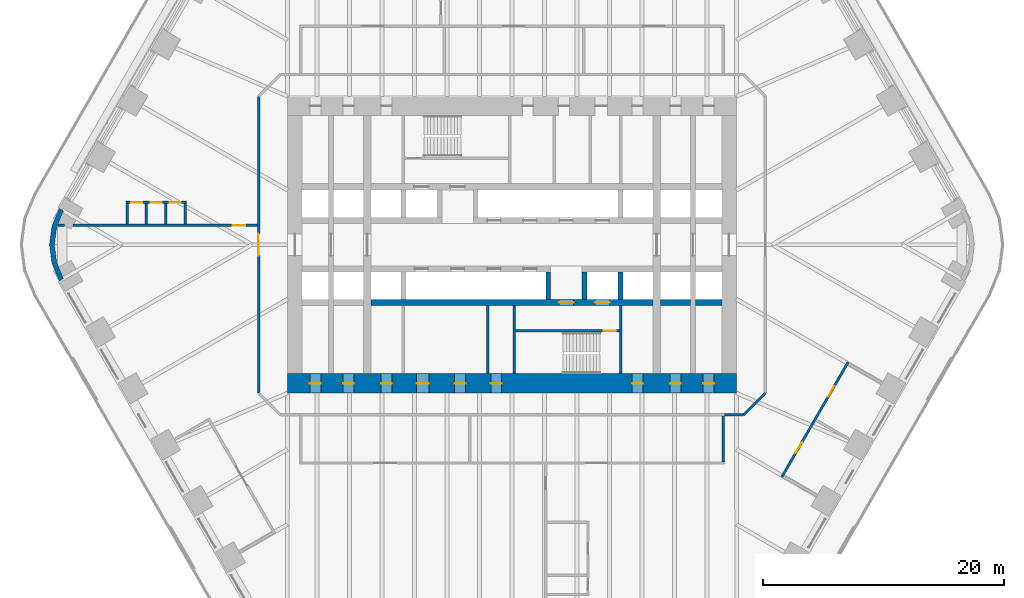
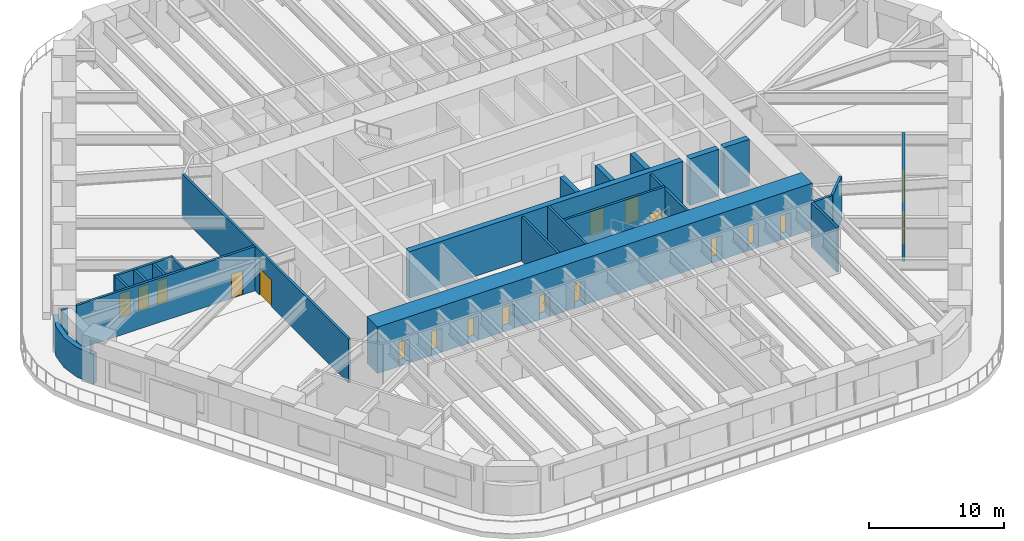
# One storey, part 17 of 23: 24 walls, 19 doors, 19 openings.
"""IFC4 building model written with IfcOpenShell, lengths in metres."""

from ifc_helpers import new_model, si_unit, direction, frame, frame_2d, origin, place, context, subcontext, project, spatial, polyline, rectangle, outline, extrude, material, layer, layer_set, type_object, element, fill, save


model = new_model("IFC4")

# Units and contexts
model_context = context("Model", 3, precision=1e-05, world=origin(), true_north=direction((0.0, 1.0)))
body_context = subcontext(model_context, "Body", "Model", "MODEL_VIEW")
ifc_project = project(units=[si_unit("LENGTHUNIT", "METRE"), si_unit("AREAUNIT", "SQUARE_METRE"), si_unit("VOLUMEUNIT", "CUBIC_METRE"), si_unit("PLANEANGLEUNIT", "RADIAN"), si_unit("MASSUNIT", "GRAM", prefix="KILO")], contexts=[model_context])

# Site, building, storey
site_placement = place(None, origin())
site = spatial("IfcSite", under=ifc_project, at=site_placement, CompositionType="ELEMENT")
building_placement = place(site_placement, origin())
building = spatial("IfcBuilding", under=site, at=building_placement, Name="Tarfa Lantern Tower", CompositionType="ELEMENT")
storey_placement = place(building_placement, frame((0.0, 0.0, 82.300048828125)))
storey = spatial("IfcBuildingStorey", under=building, at=storey_placement, Name="L18", CompositionType="ELEMENT", Elevation=82.300048828125)

# Walls
ifc_material_1 = material(Name="Limestone cladding on blockwork", Category="masonry")
ifc_layer_1 = layer(ifc_material_1, 0.39990234375)
ifc_layer_set_1 = layer_set([ifc_layer_1], Name="EW2 CURVED STONE CORNER 400")
wall_type_1 = type_object("IfcWallType", Name="EW2 CURVED STONE CORNER 400", PredefinedType="SOLIDWALL", material=ifc_layer_set_1)
wall_1_placement = place(storey_placement, origin())
element("IfcWall", 1, at=wall_1_placement, inside=storey, type_object=wall_type_1, Name="Stone corner NW-SW", PredefinedType="SOLIDWALL", context=body_context, shape_type="SweptSolid", body=[
    extrude(outline(polyline([(-37.52783203125, 3.0), (-38.127197265625, 1.552978515625), (-38.33154296875, 0.0), (-38.127197265625, -1.552978515625), (-37.52783203125, -3.0), (-37.181396484375, -2.800048828125), (-37.74072265625, -1.449462890625), (-37.931640625, 0.0), (-37.74072265625, 1.449462890625), (-37.181396484375, 2.800048828125), (-37.52783203125, 3.0)])), origin(), (0.0, 0.0, 1.0), 2.699951171875),
])
ifc_material_2 = material(Name="Concrete blockwork", Category="masonry")
ifc_layer_2 = layer(ifc_material_2, 0.199951171875)
ifc_layer_set_2 = layer_set([ifc_layer_2], Name="IW1 BLOCKWORK PARTITION 200 EI 120")
wall_type_2 = type_object("IfcWallType", Name="IW1 BLOCKWORK PARTITION 200 EI 120", PredefinedType="PARTITIONING", material=ifc_layer_set_2)
for number, where, z_axis, x_axis, name in (
    (2, (9.0, -5.050048828125, 0.0), (0.0, 0.0, 1.0), (0.0, -1.0, 0.0), "Core partition"),
    (3, (-2.0, -5.050048828125, 0.0), (0.0, 0.0, 1.0), (0.0, -1.0, 0.0), "Core partition"),
):
    element("IfcWall", number, at=place(storey_placement, frame(where, z_axis=z_axis, x_axis=x_axis)), inside=storey, type_object=wall_type_2, Name=name, PredefinedType="PARTITIONING", context=body_context, shape_type="SweptSolid", body=[
        extrude(rectangle(XDim=5.64990234375, YDim=0.199951171875, at=frame_2d((2.824951171875, 0.0))), origin(), (0.0, 0.0, 1.0), 4.0),
    ])
ifc_material_3 = material(Name="Gypsum board on steel studs", Category="steel")
ifc_layer_3 = layer(ifc_material_3, 0.2099609375)
ifc_layer_set_3 = layer_set([ifc_layer_3], Name="IW2 ACOUSTIC PARTITION 200")
wall_type_3 = type_object("IfcWallType", Name="IW2 ACOUSTIC PARTITION 200", PredefinedType="PARTITIONING", material=ifc_layer_set_3)
wall_2_placement = place(storey_placement, frame((17.5, -14.199951171875, 0.0), z_axis=(0.0, 0.0, 1.0), x_axis=(0.0, -1.0, 0.0)))
element("IfcWall", 4, at=wall_2_placement, inside=storey, type_object=wall_type_3, Name="Partition", PredefinedType="PARTITIONING", context=body_context, shape_type="SweptSolid", body=[
    extrude(rectangle(XDim=3.800048828125, YDim=0.199951171875, at=frame_2d((1.89990234375, 0.0))), origin(), (0.0, 0.0, 1.0), 4.0),
])

# Wall, openings, doors
wall_3_placement = place(storey_placement, frame((22.370361328125, -19.253173828125, 0.0), z_axis=(0.0, 0.0, 1.0), x_axis=(0.500018936051, 0.866014470774, 0.0)))
wall_3 = element("IfcWall", 5, at=wall_3_placement, inside=storey, type_object=wall_type_3, Name="Partition", PredefinedType="PARTITIONING", context=body_context, shape_type="SweptSolid", body=[
    extrude(rectangle(XDim=10.97705078125, YDim=0.199951171875, at=frame_2d((5.488525390625, 0.0))), origin(), (0.0, 0.0, 1.0), 4.0),
])
opening_1_placement = place(wall_3_placement, frame((2.294189453125, 0.0, 0.0)))
opening_1 = element("IfcOpeningElement", 6, at=opening_1_placement, cuts=wall_3, Name="Opening D29", PredefinedType="OPENING", context=body_context, shape_type="SweptSolid", body=[
    extrude(rectangle(XDim=1.0, YDim=2.199951171875, at=frame_2d((0.5, 1.10009765625))), frame((0.0, 0.10986328125, 0.0), z_axis=(0.0, -1.0, 0.0), x_axis=(1.0, 0.0, 0.0)), (0.0, 0.0, 1.0), 0.219970703125),
])
opening_2_placement = place(wall_3_placement, frame((7.682861328125, 0.0, 0.0)))
opening_2 = element("IfcOpeningElement", 7, at=opening_2_placement, cuts=wall_3, Name="Opening D30", PredefinedType="OPENING", context=body_context, shape_type="SweptSolid", body=[
    extrude(rectangle(XDim=1.0, YDim=2.199951171875, at=frame_2d((0.5, 1.10009765625))), frame((0.0, 0.10986328125, 0.0), z_axis=(0.0, -1.0, 0.0), x_axis=(1.0, 0.0, 0.0)), (0.0, 0.0, 1.0), 0.219970703125),
])
ifc_material_4 = material(Name="Timber door", Category="wood")
door_type_1 = type_object("IfcDoorType", Name="DR1 ROOM DOOR 1000x2200", OperationType="SINGLE_SWING_LEFT", PredefinedType="DOOR", material=ifc_material_4)
door_1_placement = place(opening_1_placement, frame((1.0, 0.0, 0.0), z_axis=(0.0, 0.0, 1.0), x_axis=(-1.0, 0.0, 0.0)))
door_1 = element("IfcDoor", 8, at=door_1_placement, inside=storey, type_object=door_type_1, Name="Wellness room door", OperationType="SINGLE_SWING_LEFT", OverallHeight=2.199951171875, OverallWidth=1.0, PredefinedType="DOOR", context=body_context, shape_type="SweptSolid", body=[
    extrude(rectangle(XDim=1.0, YDim=2.199951171875, at=frame_2d((0.5, 1.10009765625))), frame((0.0, 0.02490234375, 0.0), z_axis=(0.0, -1.0, 0.0), x_axis=(1.0, 0.0, 0.0)), (0.0, 0.0, 1.0), 0.050048828125),
])
fill(opening_1, door_1)
door_2_placement = place(opening_2_placement, frame((1.0, 0.0, 0.0), z_axis=(0.0, 0.0, 1.0), x_axis=(-1.0, 0.0, 0.0)))
door_2 = element("IfcDoor", 9, at=door_2_placement, inside=storey, type_object=door_type_1, Name="Mothers' room door", OperationType="SINGLE_SWING_RIGHT", OverallHeight=2.199951171875, OverallWidth=1.0, PredefinedType="DOOR", context=body_context, shape_type="SweptSolid", body=[
    extrude(rectangle(XDim=1.0, YDim=2.199951171875, at=frame_2d((0.5, 1.10009765625))), frame((0.0, 0.02490234375, 0.0), z_axis=(0.0, -1.0, 0.0), x_axis=(1.0, 0.0, 0.0)), (0.0, 0.0, 1.0), 0.050048828125),
])
fill(opening_2, door_2)

# Walls
wall_4_placement = place(storey_placement, frame((21.0, -12.300048828125, 0.0), z_axis=(0.0, 0.0, 1.0), x_axis=(-0.707106781187, -0.707106781187, 0.0)))
element("IfcWall", 10, at=wall_4_placement, inside=storey, type_object=wall_type_3, Name="Partition", PredefinedType="PARTITIONING", context=body_context, shape_type="SweptSolid", body=[
    extrude(rectangle(XDim=2.545654296875, YDim=0.199951171875, at=frame_2d((1.27294921875, 0.0))), origin(), (0.0, 0.0, 1.0), 4.0),
])
wall_5_placement = place(storey_placement, frame((19.199951171875, -14.10009765625, 0.0), z_axis=(0.0, 0.0, 1.0), x_axis=(-1.0, 0.0, 0.0)))
element("IfcWall", 11, at=wall_5_placement, inside=storey, type_object=wall_type_3, Name="Partition", PredefinedType="PARTITIONING", context=body_context, shape_type="SweptSolid", body=[
    extrude(rectangle(XDim=1.599853515625, YDim=0.199951171875, at=frame_2d((0.7998046875, 0.0))), origin(), (0.0, 0.0, 1.0), 4.0),
])

# Wall, opening, door
wall_6_placement = place(storey_placement, frame((-21.0, -12.300048828125, 0.0), z_axis=(0.0, 0.0, 1.0), x_axis=(0.0, 1.0, 0.0)))
wall_6 = element("IfcWall", 12, at=wall_6_placement, inside=storey, type_object=wall_type_3, Name="Partition", PredefinedType="PARTITIONING", context=body_context, shape_type="SweptSolid", body=[
    extrude(rectangle(XDim=24.60009765625, YDim=0.199951171875, at=frame_2d((12.300048828125, 0.0))), origin(), (0.0, 0.0, 1.0), 4.0),
])
opening_3_placement = place(wall_6_placement, frame((11.39990234375, 0.0, 0.0)))
opening_3 = element("IfcOpeningElement", 13, at=opening_3_placement, cuts=wall_6, Name="Opening D43", PredefinedType="OPENING", context=body_context, shape_type="SweptSolid", body=[
    extrude(rectangle(XDim=1.800048828125, YDim=2.39990234375, at=frame_2d((0.89990234375, 1.199951171875))), frame((0.0, 0.10986328125, 0.0), z_axis=(0.0, -1.0, 0.0), x_axis=(1.0, 0.0, 0.0)), (0.0, 0.0, 1.0), 0.219970703125),
])
door_type_2 = type_object("IfcDoorType", Name="DR2 ROOM DOOR 1800x2400", OperationType="DOUBLE_DOOR_SINGLE_SWING", PredefinedType="DOOR", material=ifc_material_4)
door_3_placement = place(opening_3_placement, origin())
door_3 = element("IfcDoor", 14, at=door_3_placement, inside=storey, type_object=door_type_2, Name="Corridor door", OperationType="DOUBLE_DOOR_SINGLE_SWING", OverallHeight=2.39990234375, OverallWidth=1.800048828125, PredefinedType="DOOR", context=body_context, shape_type="SweptSolid", body=[
    extrude(rectangle(XDim=1.800048828125, YDim=2.39990234375, at=frame_2d((0.89990234375, 1.199951171875))), frame((0.0, 0.02490234375, 0.0), z_axis=(0.0, -1.0, 0.0), x_axis=(1.0, 0.0, 0.0)), (0.0, 0.0, 1.0), 0.050048828125),
])
fill(opening_3, door_3)

wall_7_placement = place(storey_placement, frame((-21.10009765625, 1.60009765625, 0.0), z_axis=(0.0, 0.0, 1.0), x_axis=(-1.0, 0.0, 0.0)))
wall_7 = element("IfcWall", 15, at=wall_7_placement, inside=storey, type_object=wall_type_3, Name="Partition", PredefinedType="PARTITIONING", context=body_context, shape_type="SweptSolid", body=[
    extrude(rectangle(XDim=15.27294921875, YDim=0.199951171875, at=frame_2d((7.636474609375, 0.0))), origin(), (0.0, 0.0, 1.0), 4.0),
])
opening_4_placement = place(wall_7_placement, frame((1.02734375, 0.0, 0.0)))
opening_4 = element("IfcOpeningElement", 16, at=opening_4_placement, cuts=wall_7, Name="Opening D46", PredefinedType="OPENING", context=body_context, shape_type="SweptSolid", body=[
    extrude(rectangle(XDim=1.0, YDim=2.199951171875, at=frame_2d((0.5, 1.10009765625))), frame((0.0, 0.10986328125, 0.0), z_axis=(0.0, -1.0, 0.0), x_axis=(1.0, 0.0, 0.0)), (0.0, 0.0, 1.0), 0.219970703125),
])
door_4_placement = place(opening_4_placement, frame((1.0, 0.0, 0.0), z_axis=(0.0, 0.0, 1.0), x_axis=(-1.0, 0.0, 0.0)))
door_4 = element("IfcDoor", 17, at=door_4_placement, inside=storey, type_object=door_type_1, Name="Zone door", OperationType="SINGLE_SWING_LEFT", OverallHeight=2.199951171875, OverallWidth=1.0, PredefinedType="DOOR", context=body_context, shape_type="SweptSolid", body=[
    extrude(rectangle(XDim=1.0, YDim=2.199951171875, at=frame_2d((0.5, 1.10009765625))), frame((0.0, 0.02490234375, 0.0), z_axis=(0.0, -1.0, 0.0), x_axis=(1.0, 0.0, 0.0)), (0.0, 0.0, 1.0), 0.050048828125),
])
fill(opening_4, door_4)

# Wall
wall_8_placement = place(storey_placement, frame((-37.102783203125, 1.60009765625, 0.0), z_axis=(0.0, 0.0, 1.0), x_axis=(-1.0, 0.0, 0.0)))
element("IfcWall", 18, at=wall_8_placement, inside=storey, type_object=wall_type_3, Name="Partition", PredefinedType="PARTITIONING", context=body_context, shape_type="SweptSolid", body=[
    extrude(rectangle(XDim=0.534423828125, YDim=0.199951171875, at=frame_2d((0.26708984375, 0.0))), origin(), (0.0, 0.0, 1.0), 4.0),
])

# Wall, openings, doors
wall_9_placement = place(storey_placement, frame((-27.000244140625, 3.5, 0.0), z_axis=(0.0, 0.0, 1.0), x_axis=(-1.0, 0.0, 0.0)))
wall_9 = element("IfcWall", 19, at=wall_9_placement, inside=storey, type_object=wall_type_3, Name="Partition", PredefinedType="PARTITIONING", context=body_context, shape_type="SweptSolid", body=[
    extrude(rectangle(XDim=5.0, YDim=0.199951171875, at=frame_2d((2.5, 0.0))), origin(), (0.0, 0.0, 1.0), 4.0),
])
opening_5_placement = place(wall_9_placement, frame((0.449951171875, 0.0, 0.0)))
opening_5 = element("IfcOpeningElement", 20, at=opening_5_placement, cuts=wall_9, Name="Opening D39", PredefinedType="OPENING", context=body_context, shape_type="SweptSolid", body=[
    extrude(rectangle(XDim=0.89990234375, YDim=2.199951171875, at=frame_2d((0.449951171875, 1.10009765625))), frame((0.0, 0.10986328125, 0.0), z_axis=(0.0, -1.0, 0.0), x_axis=(1.0, 0.0, 0.0)), (0.0, 0.0, 1.0), 0.219970703125),
])
opening_6_placement = place(wall_9_placement, frame((2.050048828125, 0.0, 0.0)))
opening_6 = element("IfcOpeningElement", 21, at=opening_6_placement, cuts=wall_9, Name="Opening D40", PredefinedType="OPENING", context=body_context, shape_type="SweptSolid", body=[
    extrude(rectangle(XDim=0.89990234375, YDim=2.199951171875, at=frame_2d((0.449951171875, 1.10009765625))), frame((0.0, 0.10986328125, 0.0), z_axis=(0.0, -1.0, 0.0), x_axis=(1.0, 0.0, 0.0)), (0.0, 0.0, 1.0), 0.219970703125),
])
opening_7_placement = place(wall_9_placement, frame((3.64990234375, 0.0, 0.0)))
opening_7 = element("IfcOpeningElement", 22, at=opening_7_placement, cuts=wall_9, Name="Opening D41", PredefinedType="OPENING", context=body_context, shape_type="SweptSolid", body=[
    extrude(rectangle(XDim=0.89990234375, YDim=2.199951171875, at=frame_2d((0.449951171875, 1.10009765625))), frame((0.0, 0.10986328125, 0.0), z_axis=(0.0, -1.0, 0.0), x_axis=(1.0, 0.0, 0.0)), (0.0, 0.0, 1.0), 0.219970703125),
])
door_type_3 = type_object("IfcDoorType", Name="DR3 ROOM DOOR 900x2200", OperationType="SINGLE_SWING_LEFT", PredefinedType="DOOR", material=ifc_material_4)
door_5_placement = place(opening_5_placement, origin())
door_5 = element("IfcDoor", 23, at=door_5_placement, inside=storey, type_object=door_type_3, Name="Phone booth door", OperationType="SINGLE_SWING_RIGHT", OverallHeight=2.199951171875, OverallWidth=0.89990234375, PredefinedType="DOOR", context=body_context, shape_type="SweptSolid", body=[
    extrude(rectangle(XDim=0.89990234375, YDim=2.199951171875, at=frame_2d((0.449951171875, 1.10009765625))), frame((0.0, 0.02490234375, 0.0), z_axis=(0.0, -1.0, 0.0), x_axis=(1.0, 0.0, 0.0)), (0.0, 0.0, 1.0), 0.050048828125),
])
fill(opening_5, door_5)
door_6_placement = place(opening_6_placement, origin())
door_6 = element("IfcDoor", 24, at=door_6_placement, inside=storey, type_object=door_type_3, Name="Phone booth door", OperationType="SINGLE_SWING_LEFT", OverallHeight=2.199951171875, OverallWidth=0.89990234375, PredefinedType="DOOR", context=body_context, shape_type="SweptSolid", body=[
    extrude(rectangle(XDim=0.89990234375, YDim=2.199951171875, at=frame_2d((0.449951171875, 1.10009765625))), frame((0.0, 0.02490234375, 0.0), z_axis=(0.0, -1.0, 0.0), x_axis=(1.0, 0.0, 0.0)), (0.0, 0.0, 1.0), 0.050048828125),
])
fill(opening_6, door_6)
door_7_placement = place(opening_7_placement, origin())
door_7 = element("IfcDoor", 25, at=door_7_placement, inside=storey, type_object=door_type_3, Name="Phone booth door", OperationType="SINGLE_SWING_LEFT", OverallHeight=2.199951171875, OverallWidth=0.89990234375, PredefinedType="DOOR", context=body_context, shape_type="SweptSolid", body=[
    extrude(rectangle(XDim=0.89990234375, YDim=2.199951171875, at=frame_2d((0.449951171875, 1.10009765625))), frame((0.0, 0.02490234375, 0.0), z_axis=(0.0, -1.0, 0.0), x_axis=(1.0, 0.0, 0.0)), (0.0, 0.0, 1.0), 0.050048828125),
])
fill(opening_7, door_7)

# Walls
for number, where, z_axis, x_axis, name in (
    (26, (-27.10009765625, 1.699951171875, 0.0), (0.0, 0.0, 1.0), (0.0, 1.0, 0.0), "Partition"),
    (27, (-28.7001953125, 1.699951171875, 0.0), (0.0, 0.0, 1.0), (0.0, 1.0, 0.0), "Partition"),
    (28, (-30.30029296875, 1.699951171875, 0.0), (0.0, 0.0, 1.0), (0.0, 1.0, 0.0), "Partition"),
    (29, (-31.900146484375, 1.699951171875, 0.0), (0.0, 0.0, 1.0), (0.0, 1.0, 0.0), "Partition"),
):
    element("IfcWall", number, at=place(storey_placement, frame(where, z_axis=z_axis, x_axis=x_axis)), inside=storey, type_object=wall_type_3, Name=name, PredefinedType="PARTITIONING", context=body_context, shape_type="SweptSolid", body=[
        extrude(rectangle(XDim=1.699951171875, YDim=0.199951171875, at=frame_2d((0.85009765625, 0.0))), origin(), (0.0, 0.0, 1.0), 4.0),
    ])
ifc_material_5 = material(Name="Concrete C80/95", Category="concrete")
ifc_layer_4 = layer(ifc_material_5, 0.199951171875)
ifc_layer_set_4 = layer_set([ifc_layer_4], Name="SW12 CORE WALL 200")
wall_type_4 = type_object("IfcWallType", Name="SW12 CORE WALL 200", PredefinedType="SHEAR", material=ifc_layer_set_4)
wall_10_placement = place(storey_placement, frame((0.199951171875, -5.050048828125, 0.0), z_axis=(0.0, 0.0, 1.0), x_axis=(0.0, -1.0, 0.0)))
element("IfcWall", 30, at=wall_10_placement, inside=storey, type_object=wall_type_4, Name="Core wall stair shaft S", PredefinedType="SHEAR", context=body_context, shape_type="SweptSolid", body=[
    extrude(rectangle(XDim=5.64990234375, YDim=0.199951171875, at=frame_2d((2.824951171875, 0.0))), origin(), (0.0, 0.0, 1.0), 4.199951171875),
])

# Wall, opening, door
wall_11_placement = place(storey_placement, frame((8.89990234375, -7.14990234375, 0.0), z_axis=(0.0, 0.0, 1.0), x_axis=(-1.0, 0.0, 0.0)))
wall_11 = element("IfcWall", 31, at=wall_11_placement, inside=storey, type_object=wall_type_4, Name="Core wall stair partition S", PredefinedType="SHEAR", context=body_context, shape_type="SweptSolid", body=[
    extrude(rectangle(XDim=8.599853515625, YDim=0.199951171875, at=frame_2d((4.2998046875, 0.0))), origin(), (0.0, 0.0, 1.0), 4.199951171875),
])
opening_8_placement = place(wall_11_placement, frame((0.300048828125, 0.0, 0.0)))
opening_8 = element("IfcOpeningElement", 32, at=opening_8_placement, cuts=wall_11, Name="Opening D24", PredefinedType="OPENING", context=body_context, shape_type="SweptSolid", body=[
    extrude(rectangle(XDim=1.0, YDim=2.199951171875, at=frame_2d((0.5, 1.10009765625))), frame((0.0, 0.10986328125, 0.0), z_axis=(0.0, -1.0, 0.0), x_axis=(1.0, 0.0, 0.0)), (0.0, 0.0, 1.0), 0.219970703125),
])
ifc_material_6 = material(Name="Steel fire door", Category="steel")
door_type_4 = type_object("IfcDoorType", Name="DF2 STAIR DOOR 1000x2200", OperationType="SINGLE_SWING_LEFT", PredefinedType="DOOR", material=ifc_material_6)
door_8_placement = place(opening_8_placement, origin())
door_8 = element("IfcDoor", 33, at=door_8_placement, inside=storey, type_object=door_type_4, Name="Stair door", OperationType="SINGLE_SWING_RIGHT", OverallHeight=2.199951171875, OverallWidth=1.0, PredefinedType="DOOR", context=body_context, shape_type="SweptSolid", body=[
    extrude(rectangle(XDim=1.0, YDim=2.199951171875, at=frame_2d((0.5, 1.10009765625))), frame((0.0, 0.02490234375, 0.0), z_axis=(0.0, -1.0, 0.0), x_axis=(1.0, 0.0, 0.0)), (0.0, 0.0, 1.0), 0.050048828125),
])
fill(opening_8, door_8)

# Walls
ifc_layer_5 = layer(ifc_material_5, 0.5)
ifc_layer_set_5 = layer_set([ifc_layer_5], Name="SW5 CORE WALL 500")
wall_type_5 = type_object("IfcWallType", Name="SW5 CORE WALL 500", PredefinedType="SHEAR", material=ifc_layer_set_5)
wall_12_placement = place(storey_placement, frame((17.39990234375, -4.800048828125, 0.0), z_axis=(0.0, 0.0, 1.0), x_axis=(-1.0, 0.0, 0.0)))
element("IfcWall", 34, at=wall_12_placement, inside=storey, type_object=wall_type_5, Name="Core wall rear S", PredefinedType="SHEAR", context=body_context, shape_type="SweptSolid", body=[
    extrude(rectangle(XDim=2.199951171875, YDim=0.5, at=frame_2d((1.10009765625, 0.0))), origin(), (0.0, 0.0, 1.0), 4.199951171875),
])
wall_13_placement = place(storey_placement, frame((14.800048828125, -4.800048828125, 0.0), z_axis=(0.0, 0.0, 1.0), x_axis=(-1.0, 0.0, 0.0)))
element("IfcWall", 35, at=wall_13_placement, inside=storey, type_object=wall_type_5, Name="Core wall rear S", PredefinedType="SHEAR", context=body_context, shape_type="SweptSolid", body=[
    extrude(rectangle(XDim=2.5, YDim=0.5, at=frame_2d((1.25, 0.0))), origin(), (0.0, 0.0, 1.0), 4.199951171875),
])

# Wall, openings, doors
wall_14_placement = place(storey_placement, frame((11.699951171875, -4.800048828125, 0.0), z_axis=(0.0, 0.0, 1.0), x_axis=(-1.0, 0.0, 0.0)))
wall_14 = element("IfcWall", 36, at=wall_14_placement, inside=storey, type_object=wall_type_5, Name="Core wall rear S", PredefinedType="SHEAR", context=body_context, shape_type="SweptSolid", body=[
    extrude(rectangle(XDim=23.39990234375, YDim=0.5, at=frame_2d((11.699951171875, 0.0))), origin(), (0.0, 0.0, 1.0), 4.199951171875),
])
opening_9_placement = place(wall_14_placement, frame((6.60009765625, 0.0, 0.0)))
opening_9 = element("IfcOpeningElement", 37, at=opening_9_placement, cuts=wall_14, Name="Opening D14", PredefinedType="OPENING", context=body_context, shape_type="SweptSolid", body=[
    extrude(rectangle(XDim=1.199951171875, YDim=2.199951171875, at=frame_2d((0.60009765625, 1.10009765625))), frame((0.0, 0.260009765625, 0.0), z_axis=(0.0, -1.0, 0.0), x_axis=(1.0, 0.0, 0.0)), (0.0, 0.0, 1.0), 0.52001953125),
])
opening_10_placement = place(wall_14_placement, frame((3.60009765625, 0.0, 0.0)))
opening_10 = element("IfcOpeningElement", 38, at=opening_10_placement, cuts=wall_14, Name="Opening LD02", PredefinedType="OPENING", context=body_context, shape_type="SweptSolid", body=[
    extrude(rectangle(XDim=1.199951171875, YDim=2.199951171875, at=frame_2d((0.60009765625, 1.10009765625))), frame((0.0, 0.260009765625, 0.0), z_axis=(0.0, -1.0, 0.0), x_axis=(1.0, 0.0, 0.0)), (0.0, 0.0, 1.0), 0.52001953125),
])
door_type_5 = type_object("IfcDoorType", Name="DF1 FIREFIGHTING LOBBY DOOR 1200x2200", OperationType="SINGLE_SWING_LEFT", PredefinedType="DOOR", material=ifc_material_6)
door_9_placement = place(opening_9_placement, origin())
door_9 = element("IfcDoor", 39, at=door_9_placement, inside=storey, type_object=door_type_5, Name="Firefighting lobby door", OperationType="SINGLE_SWING_LEFT", OverallHeight=2.199951171875, OverallWidth=1.199951171875, PredefinedType="DOOR", context=body_context, shape_type="SweptSolid", body=[
    extrude(rectangle(XDim=1.199951171875, YDim=2.199951171875, at=frame_2d((0.60009765625, 1.10009765625))), frame((0.0, 0.02490234375, 0.0), z_axis=(0.0, -1.0, 0.0), x_axis=(1.0, 0.0, 0.0)), (0.0, 0.0, 1.0), 0.050048828125),
])
fill(opening_9, door_9)
ifc_material_7 = material(Name="Stainless steel lift door", Category="steel")
door_type_6 = type_object("IfcDoorType", Name="LD1 LIFT LANDING DOOR 1200x2200", OperationType="SLIDING_TO_LEFT", PredefinedType="DOOR", material=ifc_material_7)
door_10_placement = place(opening_10_placement, origin())
door_10 = element("IfcDoor", 40, at=door_10_placement, inside=storey, type_object=door_type_6, Name="Landing door FL2", OperationType="SLIDING_TO_LEFT", OverallHeight=2.199951171875, OverallWidth=1.199951171875, PredefinedType="DOOR", context=body_context, shape_type="SweptSolid", body=[
    extrude(rectangle(XDim=1.199951171875, YDim=2.199951171875, at=frame_2d((0.60009765625, 1.10009765625))), frame((0.0, 0.02490234375, 0.0), z_axis=(0.0, -1.0, 0.0), x_axis=(1.0, 0.0, 0.0)), (0.0, 0.0, 1.0), 0.050048828125),
])
fill(opening_10, door_10)

# Walls
ifc_layer_6 = layer(ifc_material_5, 0.39990234375)
ifc_layer_set_6 = layer_set([ifc_layer_6], Name="SW6 CORE WALL 400")
wall_type_6 = type_object("IfcWallType", Name="SW6 CORE WALL 400", PredefinedType="SHEAR", material=ifc_layer_set_6)
for number, where, z_axis, x_axis, name in (
    (41, (9.0, -2.25, 0.0), (0.0, 0.0, 1.0), (0.0, -1.0, 0.0), "Core wall divider S"),
    (42, (6.0, -2.25, 0.0), (0.0, 0.0, 1.0), (0.0, -1.0, 0.0), "Core wall divider S"),
    (43, (3.0, -2.25, 0.0), (0.0, 0.0, 1.0), (0.0, -1.0, 0.0), "Core wall divider S"),
):
    element("IfcWall", number, at=place(storey_placement, frame(where, z_axis=z_axis, x_axis=x_axis)), inside=storey, type_object=wall_type_6, Name=name, PredefinedType="SHEAR", context=body_context, shape_type="SweptSolid", body=[
        extrude(rectangle(XDim=2.300048828125, YDim=0.39990234375, at=frame_2d((1.14990234375, 0.0))), origin(), (0.0, 0.0, 1.0), 4.199951171875),
    ])

# Wall, openings, doors
ifc_layer_7 = layer(ifc_material_5, 1.60009765625)
ifc_layer_set_7 = layer_set([ifc_layer_7], Name="SW7 CORE WALL 1600")
wall_type_7 = type_object("IfcWallType", Name="SW7 CORE WALL 1600", PredefinedType="SHEAR", material=ifc_layer_set_7)
wall_15_placement = place(storey_placement, frame((18.60009765625, -11.5, 0.0), z_axis=(0.0, 0.0, 1.0), x_axis=(-1.0, 0.0, 0.0)))
wall_15 = element("IfcWall", 44, at=wall_15_placement, inside=storey, type_object=wall_type_7, Name="Core wall S", PredefinedType="SHEAR", context=body_context, shape_type="SweptSolid", body=[
    extrude(rectangle(XDim=37.2001953125, YDim=1.60009765625, at=frame_2d((18.60009765625, 0.0))), origin(), (0.0, 0.0, 1.0), 4.199951171875),
])
opening_11_placement = place(wall_15_placement, frame((19.449951171875, 0.0, 0.0)))
opening_11 = element("IfcOpeningElement", 45, at=opening_11_placement, cuts=wall_15, Name="Opening D18", PredefinedType="OPENING", context=body_context, shape_type="SweptSolid", body=[
    extrude(rectangle(XDim=0.89990234375, YDim=2.199951171875, at=frame_2d((0.449951171875, 1.10009765625))), frame((0.0, 0.81005859375, 0.0), z_axis=(0.0, -1.0, 0.0), x_axis=(1.0, 0.0, 0.0)), (0.0, 0.0, 1.0), 1.6201171875),
])
opening_12_placement = place(wall_15_placement, frame((22.449951171875, 0.0, 0.0)))
opening_12 = element("IfcOpeningElement", 46, at=opening_12_placement, cuts=wall_15, Name="Opening D20", PredefinedType="OPENING", context=body_context, shape_type="SweptSolid", body=[
    extrude(rectangle(XDim=0.89990234375, YDim=2.199951171875, at=frame_2d((0.449951171875, 1.10009765625))), frame((0.0, 0.81005859375, 0.0), z_axis=(0.0, -1.0, 0.0), x_axis=(1.0, 0.0, 0.0)), (0.0, 0.0, 1.0), 1.6201171875),
])
opening_13_placement = place(wall_15_placement, frame((25.5, 0.0, 0.0)))
opening_13 = element("IfcOpeningElement", 47, at=opening_13_placement, cuts=wall_15, Name="Opening D22", PredefinedType="OPENING", context=body_context, shape_type="SweptSolid", body=[
    extrude(rectangle(XDim=1.0, YDim=2.199951171875, at=frame_2d((0.5, 1.10009765625))), frame((0.0, 0.81005859375, 0.0), z_axis=(0.0, -1.0, 0.0), x_axis=(1.0, 0.0, 0.0)), (0.0, 0.0, 1.0), 1.6201171875),
])
opening_14_placement = place(wall_15_placement, frame((1.85009765625, 0.0, 0.0)))
opening_14 = element("IfcOpeningElement", 48, at=opening_14_placement, cuts=wall_15, Name="Opening D12", PredefinedType="OPENING", context=body_context, shape_type="SweptSolid", body=[
    extrude(rectangle(XDim=0.89990234375, YDim=2.199951171875, at=frame_2d((0.449951171875, 1.10009765625))), frame((0.0, 0.81005859375, 0.0), z_axis=(0.0, -1.0, 0.0), x_axis=(1.0, 0.0, 0.0)), (0.0, 0.0, 1.0), 1.6201171875),
])
opening_15_placement = place(wall_15_placement, frame((4.60009765625, 0.0, 0.0)))
opening_15 = element("IfcOpeningElement", 49, at=opening_15_placement, cuts=wall_15, Name="Opening D08", PredefinedType="OPENING", context=body_context, shape_type="SweptSolid", body=[
    extrude(rectangle(XDim=0.89990234375, YDim=2.199951171875, at=frame_2d((0.449951171875, 1.10009765625))), frame((0.0, 0.81005859375, 0.0), z_axis=(0.0, -1.0, 0.0), x_axis=(1.0, 0.0, 0.0)), (0.0, 0.0, 1.0), 1.6201171875),
])
opening_16_placement = place(wall_15_placement, frame((7.75, 0.0, 0.0)))
opening_16 = element("IfcOpeningElement", 50, at=opening_16_placement, cuts=wall_15, Name="Opening D10", PredefinedType="OPENING", context=body_context, shape_type="SweptSolid", body=[
    extrude(rectangle(XDim=0.89990234375, YDim=2.199951171875, at=frame_2d((0.449951171875, 1.10009765625))), frame((0.0, 0.81005859375, 0.0), z_axis=(0.0, -1.0, 0.0), x_axis=(1.0, 0.0, 0.0)), (0.0, 0.0, 1.0), 1.6201171875),
])
opening_17_placement = place(wall_15_placement, frame((28.550048828125, 0.0, 0.0)))
opening_17 = element("IfcOpeningElement", 51, at=opening_17_placement, cuts=wall_15, Name="Opening D06", PredefinedType="OPENING", context=body_context, shape_type="SweptSolid", body=[
    extrude(rectangle(XDim=0.89990234375, YDim=2.199951171875, at=frame_2d((0.449951171875, 1.10009765625))), frame((0.0, 0.81005859375, 0.0), z_axis=(0.0, -1.0, 0.0), x_axis=(1.0, 0.0, 0.0)), (0.0, 0.0, 1.0), 1.6201171875),
])
opening_18_placement = place(wall_15_placement, frame((31.699951171875, 0.0, 0.0)))
opening_18 = element("IfcOpeningElement", 52, at=opening_18_placement, cuts=wall_15, Name="Opening D02", PredefinedType="OPENING", context=body_context, shape_type="SweptSolid", body=[
    extrude(rectangle(XDim=0.89990234375, YDim=2.199951171875, at=frame_2d((0.449951171875, 1.10009765625))), frame((0.0, 0.81005859375, 0.0), z_axis=(0.0, -1.0, 0.0), x_axis=(1.0, 0.0, 0.0)), (0.0, 0.0, 1.0), 1.6201171875),
])
opening_19_placement = place(wall_15_placement, frame((34.449951171875, 0.0, 0.0)))
opening_19 = element("IfcOpeningElement", 53, at=opening_19_placement, cuts=wall_15, Name="Opening D04", PredefinedType="OPENING", context=body_context, shape_type="SweptSolid", body=[
    extrude(rectangle(XDim=0.89990234375, YDim=2.199951171875, at=frame_2d((0.449951171875, 1.10009765625))), frame((0.0, 0.81005859375, 0.0), z_axis=(0.0, -1.0, 0.0), x_axis=(1.0, 0.0, 0.0)), (0.0, 0.0, 1.0), 1.6201171875),
])
door_type_7 = type_object("IfcDoorType", Name="DF3 CORE ROOM DOOR 900x2200", OperationType="SINGLE_SWING_LEFT", PredefinedType="DOOR", material=ifc_material_6)
door_11_placement = place(opening_11_placement, frame((0.89990234375, 0.0, 0.0), z_axis=(0.0, 0.0, 1.0), x_axis=(-1.0, 0.0, 0.0)))
door_11 = element("IfcDoor", 54, at=door_11_placement, inside=storey, type_object=door_type_7, Name="Core door", OperationType="SINGLE_SWING_RIGHT", OverallHeight=2.199951171875, OverallWidth=0.89990234375, PredefinedType="DOOR", context=body_context, shape_type="SweptSolid", body=[
    extrude(rectangle(XDim=0.89990234375, YDim=2.199951171875, at=frame_2d((0.449951171875, 1.10009765625))), frame((0.0, 0.02490234375, 0.0), z_axis=(0.0, -1.0, 0.0), x_axis=(1.0, 0.0, 0.0)), (0.0, 0.0, 1.0), 0.050048828125),
])
fill(opening_11, door_11)
door_12_placement = place(opening_12_placement, frame((0.89990234375, 0.0, 0.0), z_axis=(0.0, 0.0, 1.0), x_axis=(-1.0, 0.0, 0.0)))
door_12 = element("IfcDoor", 55, at=door_12_placement, inside=storey, type_object=door_type_7, Name="Core door", OperationType="SINGLE_SWING_LEFT", OverallHeight=2.199951171875, OverallWidth=0.89990234375, PredefinedType="DOOR", context=body_context, shape_type="SweptSolid", body=[
    extrude(rectangle(XDim=0.89990234375, YDim=2.199951171875, at=frame_2d((0.449951171875, 1.10009765625))), frame((0.0, 0.02490234375, 0.0), z_axis=(0.0, -1.0, 0.0), x_axis=(1.0, 0.0, 0.0)), (0.0, 0.0, 1.0), 0.050048828125),
])
fill(opening_12, door_12)
door_type_8 = type_object("IfcDoorType", Name="DF4 CORE ROOM DOOR 1000x2200", OperationType="SINGLE_SWING_LEFT", PredefinedType="DOOR", material=ifc_material_6)
door_13_placement = place(opening_13_placement, frame((1.0, 0.0, 0.0), z_axis=(0.0, 0.0, 1.0), x_axis=(-1.0, 0.0, 0.0)))
door_13 = element("IfcDoor", 56, at=door_13_placement, inside=storey, type_object=door_type_8, Name="Core door", OperationType="SINGLE_SWING_RIGHT", OverallHeight=2.199951171875, OverallWidth=1.0, PredefinedType="DOOR", context=body_context, shape_type="SweptSolid", body=[
    extrude(rectangle(XDim=1.0, YDim=2.199951171875, at=frame_2d((0.5, 1.10009765625))), frame((0.0, 0.02490234375, 0.0), z_axis=(0.0, -1.0, 0.0), x_axis=(1.0, 0.0, 0.0)), (0.0, 0.0, 1.0), 0.050048828125),
])
fill(opening_13, door_13)
door_type_9 = type_object("IfcDoorType", Name="DF5 RISER DOOR 900x2200", OperationType="SINGLE_SWING_LEFT", PredefinedType="DOOR", material=ifc_material_6)
door_14_placement = place(opening_14_placement, frame((0.89990234375, 0.0, 0.0), z_axis=(0.0, 0.0, 1.0), x_axis=(-1.0, 0.0, 0.0)))
door_14 = element("IfcDoor", 57, at=door_14_placement, inside=storey, type_object=door_type_9, Name="Riser door", OperationType="SINGLE_SWING_LEFT", OverallHeight=2.199951171875, OverallWidth=0.89990234375, PredefinedType="DOOR", context=body_context, shape_type="SweptSolid", body=[
    extrude(rectangle(XDim=0.89990234375, YDim=2.199951171875, at=frame_2d((0.449951171875, 1.10009765625))), frame((0.0, 0.02490234375, 0.0), z_axis=(0.0, -1.0, 0.0), x_axis=(1.0, 0.0, 0.0)), (0.0, 0.0, 1.0), 0.050048828125),
])
fill(opening_14, door_14)
door_15_placement = place(opening_15_placement, frame((0.89990234375, 0.0, 0.0), z_axis=(0.0, 0.0, 1.0), x_axis=(-1.0, 0.0, 0.0)))
door_15 = element("IfcDoor", 58, at=door_15_placement, inside=storey, type_object=door_type_9, Name="Riser door", OperationType="SINGLE_SWING_LEFT", OverallHeight=2.199951171875, OverallWidth=0.89990234375, PredefinedType="DOOR", context=body_context, shape_type="SweptSolid", body=[
    extrude(rectangle(XDim=0.89990234375, YDim=2.199951171875, at=frame_2d((0.449951171875, 1.10009765625))), frame((0.0, 0.02490234375, 0.0), z_axis=(0.0, -1.0, 0.0), x_axis=(1.0, 0.0, 0.0)), (0.0, 0.0, 1.0), 0.050048828125),
])
fill(opening_15, door_15)
door_16_placement = place(opening_16_placement, frame((0.89990234375, 0.0, 0.0), z_axis=(0.0, 0.0, 1.0), x_axis=(-1.0, 0.0, 0.0)))
door_16 = element("IfcDoor", 59, at=door_16_placement, inside=storey, type_object=door_type_9, Name="Riser door", OperationType="SINGLE_SWING_LEFT", OverallHeight=2.199951171875, OverallWidth=0.89990234375, PredefinedType="DOOR", context=body_context, shape_type="SweptSolid", body=[
    extrude(rectangle(XDim=0.89990234375, YDim=2.199951171875, at=frame_2d((0.449951171875, 1.10009765625))), frame((0.0, 0.02490234375, 0.0), z_axis=(0.0, -1.0, 0.0), x_axis=(1.0, 0.0, 0.0)), (0.0, 0.0, 1.0), 0.050048828125),
])
fill(opening_16, door_16)
door_17_placement = place(opening_17_placement, frame((0.89990234375, 0.0, 0.0), z_axis=(0.0, 0.0, 1.0), x_axis=(-1.0, 0.0, 0.0)))
door_17 = element("IfcDoor", 60, at=door_17_placement, inside=storey, type_object=door_type_9, Name="Riser door", OperationType="SINGLE_SWING_RIGHT", OverallHeight=2.199951171875, OverallWidth=0.89990234375, PredefinedType="DOOR", context=body_context, shape_type="SweptSolid", body=[
    extrude(rectangle(XDim=0.89990234375, YDim=2.199951171875, at=frame_2d((0.449951171875, 1.10009765625))), frame((0.0, 0.02490234375, 0.0), z_axis=(0.0, -1.0, 0.0), x_axis=(1.0, 0.0, 0.0)), (0.0, 0.0, 1.0), 0.050048828125),
])
fill(opening_17, door_17)
door_18_placement = place(opening_18_placement, frame((0.89990234375, 0.0, 0.0), z_axis=(0.0, 0.0, 1.0), x_axis=(-1.0, 0.0, 0.0)))
door_18 = element("IfcDoor", 61, at=door_18_placement, inside=storey, type_object=door_type_9, Name="Riser door", OperationType="SINGLE_SWING_RIGHT", OverallHeight=2.199951171875, OverallWidth=0.89990234375, PredefinedType="DOOR", context=body_context, shape_type="SweptSolid", body=[
    extrude(rectangle(XDim=0.89990234375, YDim=2.199951171875, at=frame_2d((0.449951171875, 1.10009765625))), frame((0.0, 0.02490234375, 0.0), z_axis=(0.0, -1.0, 0.0), x_axis=(1.0, 0.0, 0.0)), (0.0, 0.0, 1.0), 0.050048828125),
])
fill(opening_18, door_18)
door_19_placement = place(opening_19_placement, frame((0.89990234375, 0.0, 0.0), z_axis=(0.0, 0.0, 1.0), x_axis=(-1.0, 0.0, 0.0)))
door_19 = element("IfcDoor", 62, at=door_19_placement, inside=storey, type_object=door_type_9, Name="Riser door", OperationType="SINGLE_SWING_RIGHT", OverallHeight=2.199951171875, OverallWidth=0.89990234375, PredefinedType="DOOR", context=body_context, shape_type="SweptSolid", body=[
    extrude(rectangle(XDim=0.89990234375, YDim=2.199951171875, at=frame_2d((0.449951171875, 1.10009765625))), frame((0.0, 0.02490234375, 0.0), z_axis=(0.0, -1.0, 0.0), x_axis=(1.0, 0.0, 0.0)), (0.0, 0.0, 1.0), 0.050048828125),
])
fill(opening_19, door_19)

save(model, "model.ifc")
